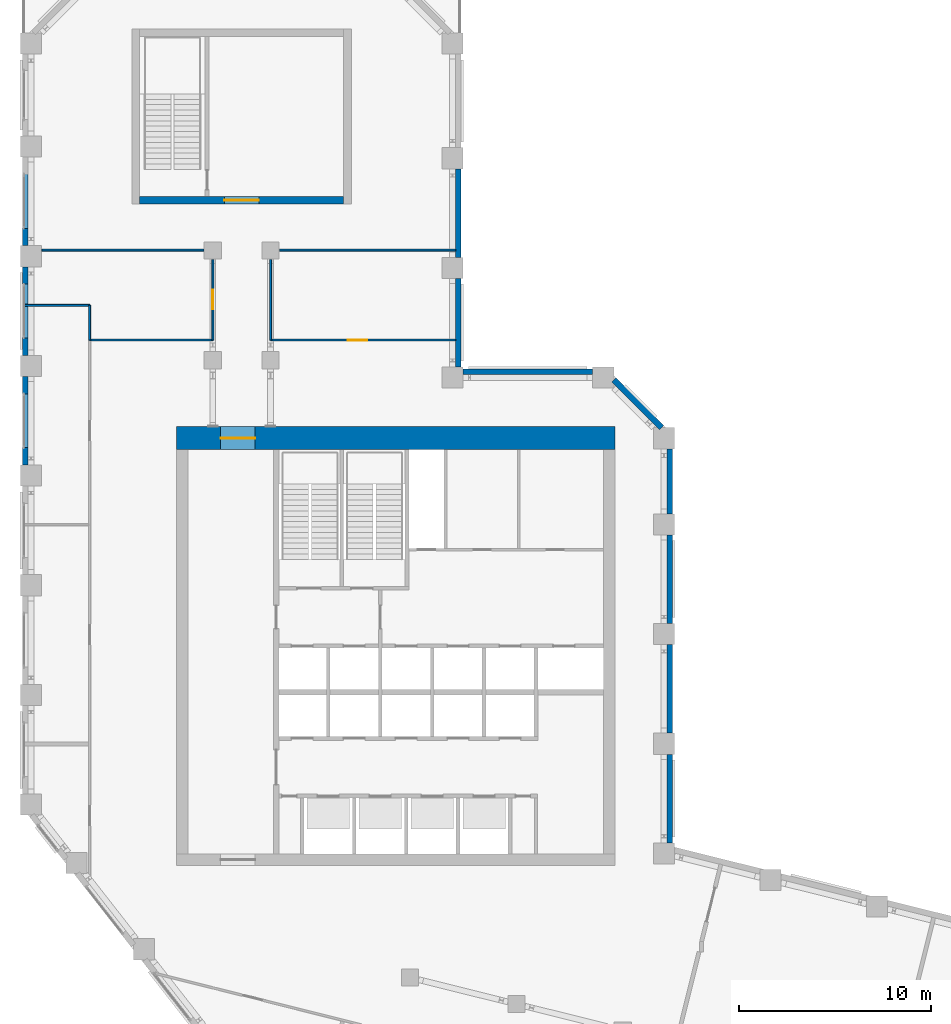
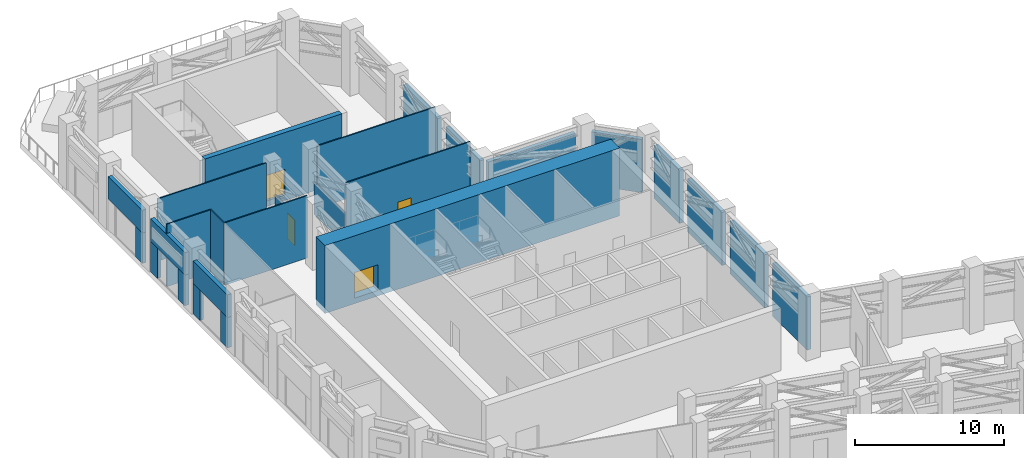
# One storey, part 15 of 21: 26 walls, 4 doors, 4 openings.
"""IFC4 building model written with IfcOpenShell, lengths in metres."""

from ifc_helpers import new_model, si_unit, direction, frame, frame_2d, origin, place, context, subcontext, project, spatial, rectangle, extrude, material, layer, layer_set, type_object, element, fill, save


model = new_model("IFC4")

# Units and contexts
model_context = context("Model", 3, precision=1e-05, world=origin(), true_north=direction((0.0, 1.0)))
body_context = subcontext(model_context, "Body", "Model", "MODEL_VIEW")
ifc_project = project(units=[si_unit("LENGTHUNIT", "METRE"), si_unit("AREAUNIT", "SQUARE_METRE"), si_unit("VOLUMEUNIT", "CUBIC_METRE"), si_unit("PLANEANGLEUNIT", "RADIAN"), si_unit("MASSUNIT", "GRAM", prefix="KILO")], contexts=[model_context])

# Site, building, storey
site_placement = place(None, origin())
site = spatial("IfcSite", under=ifc_project, at=site_placement, CompositionType="ELEMENT")
building_placement = place(site_placement, origin())
building = spatial("IfcBuilding", under=site, at=building_placement, Name="Meshkara Civic Tower", CompositionType="ELEMENT")
storey_placement = place(building_placement, frame((0.0, 0.0, 284.39990234375)))
storey = spatial("IfcBuildingStorey", under=building, at=storey_placement, Name="L65", CompositionType="ELEMENT", Elevation=284.39990234375)

# Wall, opening, door
ifc_material_1 = material(Name="Concrete C60", Category="concrete")
ifc_layer_1 = layer(ifc_material_1, 1.199951171875)
ifc_layer_set_1 = layer_set([ifc_layer_1], Name="Core ring wall 1200 C60")
wall_type_1 = type_object("IfcWallType", Name="Core ring wall 1200 C60", PredefinedType="SHEAR", material=ifc_layer_set_1)
wall_1_placement = place(storey_placement, frame((8.0, 36.300048828125, -0.449951171875), z_axis=(0.0, 0.0, 1.0), x_axis=(1.0, 0.0, 0.0)))
wall_1 = element("IfcWall", 1, at=wall_1_placement, inside=storey, type_object=wall_type_1, Name="L65-C002", PredefinedType="SHEAR", context=body_context, shape_type="SweptSolid", body=[
    extrude(rectangle(XDim=22.800048828125, YDim=1.199951171875, at=frame_2d((11.39990234375, 0.0))), origin(), (0.0, 0.0, 1.0), 5.550048828125),
])
opening_1_placement = place(wall_1_placement, frame((2.300048828125, 0.0, 0.449951171875)))
opening_1 = element("IfcOpeningElement", 2, at=opening_1_placement, cuts=wall_1, Name="Opening L65-K026", PredefinedType="OPENING", context=body_context, shape_type="SweptSolid", body=[
    extrude(rectangle(XDim=1.800048828125, YDim=2.10009765625, at=frame_2d((0.89990234375, 1.050048828125))), frame((0.0, 0.60986328125, 0.0), z_axis=(0.0, -1.0, 0.0), x_axis=(1.0, 0.0, 0.0)), (0.0, 0.0, 1.0), 1.219970703125),
])
ifc_material_2 = material(Name="Fire-rated door leaf in steel frame", Category="steel")
door_type_1 = type_object("IfcDoorType", Name="Core double door 1800 EI 60", OperationType="DOUBLE_DOOR_SINGLE_SWING", PredefinedType="DOOR", material=ifc_material_2)
door_1_placement = place(opening_1_placement, origin())
door_1 = element("IfcDoor", 3, at=door_1_placement, inside=storey, type_object=door_type_1, Name="L65-K026", OperationType="DOUBLE_DOOR_SINGLE_SWING", OverallHeight=2.10009765625, OverallWidth=1.800048828125, PredefinedType="DOOR", context=body_context, shape_type="SweptSolid", body=[
    extrude(rectangle(XDim=1.800048828125, YDim=2.10009765625, at=frame_2d((0.89990234375, 1.050048828125))), frame((0.0, 0.02490234375, 0.0), z_axis=(0.0, -1.0, 0.0), x_axis=(1.0, 0.0, 0.0)), (0.0, 0.0, 1.0), 0.050048828125),
])
fill(opening_1, door_1)

# Walls
ifc_material_3 = material(Name="Corridor wall 100")
ifc_layer_2 = layer(ifc_material_3, 0.10009765625)
ifc_layer_set_2 = layer_set([ifc_layer_2], Name="Corridor wall 100")
wall_type_2 = type_object("IfcWallType", Name="Corridor wall 100", PredefinedType="PARTITIONING", material=ifc_layer_set_2)
wall_2_placement = place(storey_placement, frame((1.02001953125, 46.070068359375, 0.0), z_axis=(0.0, 0.0, 1.0), x_axis=(1.0, 0.0, 0.0)))
element("IfcWall", 4, at=wall_2_placement, inside=storey, type_object=wall_type_2, Name="L65-R001", PredefinedType="PARTITIONING", context=body_context, shape_type="SweptSolid", body=[
    extrude(rectangle(XDim=8.409912109375, YDim=0.10009765625, at=frame_2d((4.205078125, 0.0))), origin(), (0.0, 0.0, 1.0), 5.10009765625),
])
wall_3_placement = place(storey_placement, frame((9.89990234375, 41.39990234375, 0.0), z_axis=(0.0, 0.0, 1.0), x_axis=(-1.0, 0.0, 0.0)))
element("IfcWall", 5, at=wall_3_placement, inside=storey, type_object=wall_type_2, Name="L65-R004", PredefinedType="PARTITIONING", context=body_context, shape_type="SweptSolid", body=[
    extrude(rectangle(XDim=6.39990234375, YDim=0.10009765625, at=frame_2d((3.199951171875, 0.0))), origin(), (0.0, 0.0, 1.0), 5.10009765625),
])

# Wall, opening, door
wall_4_placement = place(storey_placement, frame((9.89990234375, 45.580078125, 0.0), z_axis=(0.0, 0.0, 1.0), x_axis=(0.0, -1.0, 0.0)))
wall_4 = element("IfcWall", 6, at=wall_4_placement, inside=storey, type_object=wall_type_2, Name="L65-R005", PredefinedType="PARTITIONING", context=body_context, shape_type="SweptSolid", body=[
    extrude(rectangle(XDim=4.18017578125, YDim=0.10009765625, at=frame_2d((2.090087890625, 0.0))), origin(), (0.0, 0.0, 1.0), 2.610107421875),
])
opening_2_placement = place(wall_4_placement, frame((1.580078125, 0.0, 0.0)))
opening_2 = element("IfcOpeningElement", 7, at=opening_2_placement, cuts=wall_4, Name="Opening L65-P014", PredefinedType="OPENING", context=body_context, shape_type="SweptSolid", body=[
    extrude(rectangle(XDim=1.0, YDim=2.10009765625, at=frame_2d((0.5, 1.050048828125))), frame((0.0, 0.06005859375, 0.0), z_axis=(0.0, -1.0, 0.0), x_axis=(1.0, 0.0, 0.0)), (0.0, 0.0, 1.0), 0.1201171875),
])
ifc_material_4 = material(Name="Door 1000 x 2100")
door_type_2 = type_object("IfcDoorType", Name="Door 1000 x 2100", OperationType="SINGLE_SWING_LEFT", PredefinedType="DOOR", material=ifc_material_4)
door_2_placement = place(opening_2_placement, origin())
door_2 = element("IfcDoor", 8, at=door_2_placement, inside=storey, type_object=door_type_2, Name="L65-P014", OperationType="SINGLE_SWING_LEFT", OverallHeight=2.10009765625, OverallWidth=1.0, PredefinedType="DOOR", context=body_context, shape_type="SweptSolid", body=[
    extrude(rectangle(XDim=1.0, YDim=2.10009765625, at=frame_2d((0.5, 1.050048828125))), frame((0.0, 0.02490234375, 0.0), z_axis=(0.0, -1.0, 0.0), x_axis=(1.0, 0.0, 0.0)), (0.0, 0.0, 1.0), 0.050048828125),
])
fill(opening_2, door_2)

# Walls
wall_5_placement = place(storey_placement, frame((12.89990234375, 41.39990234375, 0.0), z_axis=(0.0, 0.0, 1.0), x_axis=(0.0, 1.0, 0.0)))
element("IfcWall", 9, at=wall_5_placement, inside=storey, type_object=wall_type_2, Name="L65-R006", PredefinedType="PARTITIONING", context=body_context, shape_type="SweptSolid", body=[
    extrude(rectangle(XDim=4.18017578125, YDim=0.10009765625, at=frame_2d((2.090087890625, 0.0))), origin(), (0.0, 0.0, 1.0), 2.610107421875),
])
wall_6_placement = place(storey_placement, frame((13.3701171875, 46.070068359375, 0.0), z_axis=(0.0, 0.0, 1.0), x_axis=(1.0, 0.0, 0.0)))
element("IfcWall", 10, at=wall_6_placement, inside=storey, type_object=wall_type_2, Name="L65-R007", PredefinedType="PARTITIONING", context=body_context, shape_type="SweptSolid", body=[
    extrude(rectangle(XDim=9.14990234375, YDim=0.10009765625, at=frame_2d((4.574951171875, 0.0))), origin(), (0.0, 0.0, 1.0), 5.10009765625),
])

# Wall, opening, door
wall_7_placement = place(storey_placement, frame((22.52001953125, 41.39990234375, 0.0), z_axis=(0.0, 0.0, 1.0), x_axis=(-1.0, 0.0, 0.0)))
wall_7 = element("IfcWall", 11, at=wall_7_placement, inside=storey, type_object=wall_type_2, Name="L65-R009", PredefinedType="PARTITIONING", context=body_context, shape_type="SweptSolid", body=[
    extrude(rectangle(XDim=9.6201171875, YDim=0.10009765625, at=frame_2d((4.81005859375, 0.0))), origin(), (0.0, 0.0, 1.0), 5.10009765625),
])
opening_3_placement = place(wall_7_placement, frame((4.60009765625, 0.0, 0.0)))
opening_3 = element("IfcOpeningElement", 12, at=opening_3_placement, cuts=wall_7, Name="Opening L65-P013", PredefinedType="OPENING", context=body_context, shape_type="SweptSolid", body=[
    extrude(rectangle(XDim=1.0, YDim=2.10009765625, at=frame_2d((0.5, 1.050048828125))), frame((0.0, 0.06005859375, 0.0), z_axis=(0.0, -1.0, 0.0), x_axis=(1.0, 0.0, 0.0)), (0.0, 0.0, 1.0), 0.1201171875),
])
door_3_placement = place(opening_3_placement, origin())
door_3 = element("IfcDoor", 13, at=door_3_placement, inside=storey, type_object=door_type_2, Name="L65-P013", OperationType="SINGLE_SWING_LEFT", OverallHeight=2.10009765625, OverallWidth=1.0, PredefinedType="DOOR", context=body_context, shape_type="SweptSolid", body=[
    extrude(rectangle(XDim=1.0, YDim=2.10009765625, at=frame_2d((0.5, 1.050048828125))), frame((0.0, 0.02490234375, 0.0), z_axis=(0.0, -1.0, 0.0), x_axis=(1.0, 0.0, 0.0)), (0.0, 0.0, 1.0), 0.050048828125),
])
fill(opening_3, door_3)

# Walls
ifc_material_5 = material(Name="Insulated infill panel with bronze anodised aluminium cladding", Category="aluminium")
ifc_layer_3 = layer(ifc_material_5, 0.300048828125)
ifc_layer_set_3 = layer_set([ifc_layer_3], Name="EXTERNAL INFILL WALL 300")
wall_type_3 = type_object("IfcWallType", Name="EXTERNAL INFILL WALL 300", PredefinedType="SOLIDWALL", material=ifc_layer_set_3)
wall_8_placement = place(storey_placement, frame((33.64990234375, 15.26904296875, 0.0), z_axis=(0.0, 0.0, 1.0), x_axis=(0.0, 1.0, 0.0)))
element("IfcWall", 14, at=wall_8_placement, inside=storey, type_object=wall_type_3, Name="External wall", PredefinedType="SOLIDWALL", context=body_context, shape_type="SweptSolid", body=[
    extrude(rectangle(XDim=4.599853515625, YDim=0.300048828125, at=frame_2d((2.2998046875, 0.0))), origin(), (0.0, 0.0, 1.0), 4.35009765625),
])
wall_9_placement = place(storey_placement, frame((33.64990234375, 20.969970703125, 0.0), z_axis=(0.0, 0.0, 1.0), x_axis=(0.0, 1.0, 0.0)))
element("IfcWall", 15, at=wall_9_placement, inside=storey, type_object=wall_type_3, Name="External wall", PredefinedType="SOLIDWALL", context=body_context, shape_type="SweptSolid", body=[
    extrude(rectangle(XDim=4.59912109375, YDim=0.300048828125, at=frame_2d((2.299560546875, 0.0))), origin(), (0.0, 0.0, 1.0), 4.35009765625),
])
wall_10_placement = place(storey_placement, frame((33.64990234375, 26.6689453125, 0.0), z_axis=(0.0, 0.0, 1.0), x_axis=(0.0, 1.0, 0.0)))
element("IfcWall", 16, at=wall_10_placement, inside=storey, type_object=wall_type_3, Name="External wall", PredefinedType="SOLIDWALL", context=body_context, shape_type="SweptSolid", body=[
    extrude(rectangle(XDim=4.60009765625, YDim=0.300048828125, at=frame_2d((2.300048828125, 0.0))), origin(), (0.0, 0.0, 1.0), 4.35009765625),
])
wall_11_placement = place(storey_placement, frame((33.64990234375, 32.368896484375, 0.0), z_axis=(0.0, 0.0, 1.0), x_axis=(0.0, 1.0, 0.0)))
element("IfcWall", 17, at=wall_11_placement, inside=storey, type_object=wall_type_3, Name="External wall", PredefinedType="SOLIDWALL", context=body_context, shape_type="SweptSolid", body=[
    extrude(rectangle(XDim=3.375, YDim=0.300048828125, at=frame_2d((1.6875, 0.0))), origin(), (0.0, 0.0, 1.0), 4.35009765625),
])
wall_12_placement = place(storey_placement, frame((33.22412109375, 36.843994140625, 0.0), z_axis=(0.0, 0.0, 1.0), x_axis=(-0.70714158403, 0.70707197663, 0.0)))
element("IfcWall", 18, at=wall_12_placement, inside=storey, type_object=wall_type_3, Name="External wall", PredefinedType="SOLIDWALL", context=body_context, shape_type="SweptSolid", body=[
    extrude(rectangle(XDim=3.50732421875, YDim=0.300048828125, at=frame_2d((1.753662109375, 0.0))), origin(), (0.0, 0.0, 1.0), 4.35009765625),
])
wall_13_placement = place(storey_placement, frame((29.64306640625, 39.75, 0.0), z_axis=(0.0, 0.0, 1.0), x_axis=(-1.0, 0.0, 0.0)))
element("IfcWall", 19, at=wall_13_placement, inside=storey, type_object=wall_type_3, Name="External wall", PredefinedType="SOLIDWALL", context=body_context, shape_type="SweptSolid", body=[
    extrude(rectangle(XDim=6.7421875, YDim=0.300048828125, at=frame_2d((3.37109375, 0.0))), origin(), (0.0, 0.0, 1.0), 4.35009765625),
])
wall_14_placement = place(storey_placement, frame((22.64990234375, 40.0009765625, 0.0), z_axis=(0.0, 0.0, 1.0), x_axis=(0.0, 1.0, 0.0)))
element("IfcWall", 20, at=wall_14_placement, inside=storey, type_object=wall_type_3, Name="External wall", PredefinedType="SOLIDWALL", context=body_context, shape_type="SweptSolid", body=[
    extrude(rectangle(XDim=4.59814453125, YDim=0.300048828125, at=frame_2d((2.299072265625, 0.0))), origin(), (0.0, 0.0, 1.0), 4.35009765625),
])
wall_15_placement = place(storey_placement, frame((22.64990234375, 45.699951171875, 0.0), z_axis=(0.0, 0.0, 1.0), x_axis=(0.0, 1.0, 0.0)))
element("IfcWall", 21, at=wall_15_placement, inside=storey, type_object=wall_type_3, Name="External wall", PredefinedType="SOLIDWALL", context=body_context, shape_type="SweptSolid", body=[
    extrude(rectangle(XDim=4.60009765625, YDim=0.300048828125, at=frame_2d((2.300048828125, 0.0))), origin(), (0.0, 0.0, 1.0), 4.35009765625),
])
wall_16_placement = place(storey_placement, frame((0.14990234375, 50.904052734375, 2.5), z_axis=(0.0, 0.0, 1.0), x_axis=(0.0, -1.0, 0.0)))
element("IfcWall", 22, at=wall_16_placement, inside=storey, type_object=wall_type_3, Name="External wall", PredefinedType="SOLIDWALL", context=body_context, shape_type="SweptSolid", body=[
    extrude(rectangle(XDim=4.59814453125, YDim=0.300048828125, at=frame_2d((2.299072265625, 0.0))), origin(), (0.0, 0.0, 1.0), 1.85009765625),
])
wall_17_placement = place(storey_placement, frame((0.14990234375, 45.205078125, 2.5), z_axis=(0.0, 0.0, 1.0), x_axis=(0.0, -1.0, 0.0)))
element("IfcWall", 23, at=wall_17_placement, inside=storey, type_object=wall_type_3, Name="External wall", PredefinedType="SOLIDWALL", context=body_context, shape_type="SweptSolid", body=[
    extrude(rectangle(XDim=4.60009765625, YDim=0.300048828125, at=frame_2d((2.300048828125, 0.0))), origin(), (0.0, 0.0, 1.0), 1.85009765625),
])
wall_18_placement = place(storey_placement, frame((0.14990234375, 39.5048828125, 2.5), z_axis=(0.0, 0.0, 1.0), x_axis=(0.0, -1.0, 0.0)))
element("IfcWall", 24, at=wall_18_placement, inside=storey, type_object=wall_type_3, Name="External wall", PredefinedType="SOLIDWALL", context=body_context, shape_type="SweptSolid", body=[
    extrude(rectangle(XDim=4.599853515625, YDim=0.300048828125, at=frame_2d((2.2998046875, 0.0))), origin(), (0.0, 0.0, 1.0), 1.85009765625),
])

# Wall, opening, door
ifc_material_6 = material(Name="Concrete C60", Category="concrete")
ifc_layer_4 = layer(ifc_material_6, 0.39990234375)
ifc_layer_set_4 = layer_set([ifc_layer_4], Name="End core ring wall 400 C60")
wall_type_4 = type_object("IfcWallType", Name="End core ring wall 400 C60", PredefinedType="SHEAR", material=ifc_layer_set_4)
wall_19_placement = place(storey_placement, frame((6.10009765625, 48.669921875, -0.449951171875), z_axis=(0.0, 0.0, 1.0), x_axis=(1.0, 0.0, 0.0)))
wall_19 = element("IfcWall", 25, at=wall_19_placement, inside=storey, type_object=wall_type_4, Name="L65-C029", PredefinedType="SHEAR", context=body_context, shape_type="SweptSolid", body=[
    extrude(rectangle(XDim=10.599853515625, YDim=0.39990234375, at=frame_2d((5.2998046875, 0.0))), origin(), (0.0, 0.0, 1.0), 5.550048828125),
])
opening_4_placement = place(wall_19_placement, frame((4.39990234375, 0.0, 0.449951171875)))
opening_4 = element("IfcOpeningElement", 26, at=opening_4_placement, cuts=wall_19, Name="Opening L65-K102", PredefinedType="OPENING", context=body_context, shape_type="SweptSolid", body=[
    extrude(rectangle(XDim=1.800048828125, YDim=2.10009765625, at=frame_2d((0.89990234375, 1.050048828125))), frame((0.0, 0.2099609375, 0.0), z_axis=(0.0, -1.0, 0.0), x_axis=(1.0, 0.0, 0.0)), (0.0, 0.0, 1.0), 0.419921875),
])
door_4_placement = place(opening_4_placement, origin())
door_4 = element("IfcDoor", 27, at=door_4_placement, inside=storey, type_object=door_type_1, Name="L65-K102", OperationType="DOUBLE_DOOR_SINGLE_SWING", OverallHeight=2.10009765625, OverallWidth=1.800048828125, PredefinedType="DOOR", context=body_context, shape_type="SweptSolid", body=[
    extrude(rectangle(XDim=1.800048828125, YDim=2.10009765625, at=frame_2d((0.89990234375, 1.050048828125))), frame((0.0, 0.02490234375, 0.0), z_axis=(0.0, -1.0, 0.0), x_axis=(1.0, 0.0, 0.0)), (0.0, 0.0, 1.0), 0.050048828125),
])
fill(opening_4, door_4)

# Walls
ifc_material_7 = material(Name="Partition 100")
ifc_layer_5 = layer(ifc_material_7, 0.10009765625)
ifc_layer_set_5 = layer_set([ifc_layer_5], Name="Partition 100")
wall_type_5 = type_object("IfcWallType", Name="Partition 100", PredefinedType="PARTITIONING", material=ifc_layer_set_5)
wall_20_placement = place(storey_placement, frame((0.073974609375, 43.199951171875, 0.0), z_axis=(0.0, 0.0, 1.0), x_axis=(1.0, 0.0, 0.0)))
element("IfcWall", 28, at=wall_20_placement, inside=storey, type_object=wall_type_5, Name="L65-R026", PredefinedType="PARTITIONING", context=body_context, shape_type="SweptSolid", body=[
    extrude(rectangle(XDim=3.426025390625, YDim=0.10009765625, at=frame_2d((1.712890625, 0.0))), origin(), (0.0, 0.0, 1.0), 5.10009765625),
])
wall_21_placement = place(storey_placement, frame((3.5, 43.199951171875, 0.0), z_axis=(0.0, 0.0, 1.0), x_axis=(0.0, -1.0, 0.0)))
element("IfcWall", 29, at=wall_21_placement, inside=storey, type_object=wall_type_5, Name="L65-R029", PredefinedType="PARTITIONING", context=body_context, shape_type="SweptSolid", body=[
    extrude(rectangle(XDim=1.803955078125, YDim=0.10009765625, at=frame_2d((0.90185546875, 0.0))), origin(), (0.0, 0.0, 1.0), 5.10009765625),
])
ifc_material_8 = material(Name="Concrete C50", Category="concrete")
ifc_layer_6 = layer(ifc_material_8, 0.300048828125)
ifc_layer_set_6 = layer_set([ifc_layer_6], Name="SKY LOBBY PIER 300")
wall_type_6 = type_object("IfcWallType", Name="SKY LOBBY PIER 300", PredefinedType="SOLIDWALL", material=ifc_layer_set_6)
for number, where, z_axis, x_axis, name in (
    (30, (0.14990234375, 47.2060546875, 0.0), (0.0, 0.0, 1.0), (0.0, -1.0, 0.0), "Sky lobby pier"),
    (31, (0.14990234375, 45.205078125, 0.0), (0.0, 0.0, 1.0), (0.0, -1.0, 0.0), "Sky lobby pier"),
):
    element("IfcWall", number, at=place(storey_placement, frame(where, z_axis=z_axis, x_axis=x_axis)), inside=storey, type_object=wall_type_6, Name=name, PredefinedType="SOLIDWALL", context=body_context, shape_type="SweptSolid", body=[
        extrude(rectangle(XDim=0.900146484375, YDim=0.300048828125, at=frame_2d((0.4501953125, 0.0))), origin(), (0.0, 0.0, 1.0), 2.5),
    ])
for number, where, z_axis, x_axis, name in (
    (32, (0.14990234375, 41.5048828125, 0.0), (0.0, 0.0, 1.0), (0.0, -1.0, 0.0), "Sky lobby pier"),
    (33, (0.14990234375, 39.5048828125, 0.0), (0.0, 0.0, 1.0), (0.0, -1.0, 0.0), "Sky lobby pier"),
    (34, (0.14990234375, 35.804931640625, 0.0), (0.0, 0.0, 1.0), (0.0, -1.0, 0.0), "Sky lobby pier"),
):
    element("IfcWall", number, at=place(storey_placement, frame(where, z_axis=z_axis, x_axis=x_axis)), inside=storey, type_object=wall_type_6, Name=name, PredefinedType="SOLIDWALL", context=body_context, shape_type="SweptSolid", body=[
        extrude(rectangle(XDim=0.89990234375, YDim=0.300048828125, at=frame_2d((0.449951171875, 0.0))), origin(), (0.0, 0.0, 1.0), 2.5),
    ])

save(model, "model.ifc")
